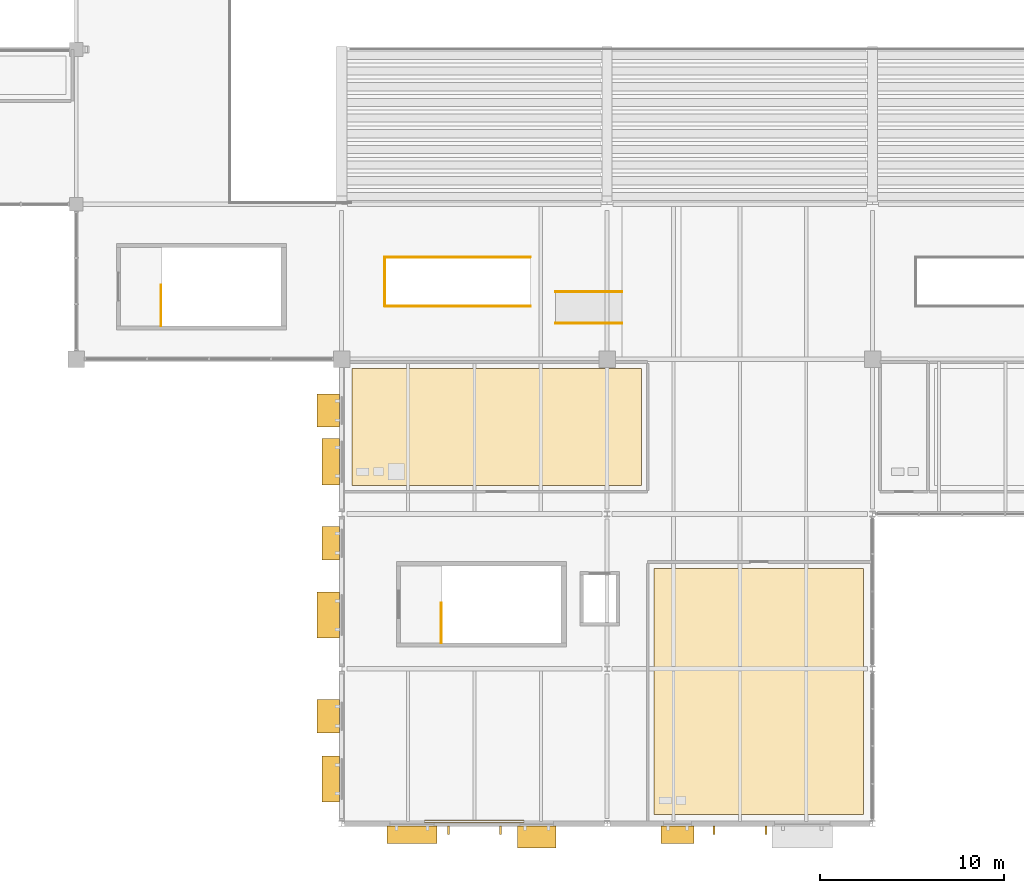
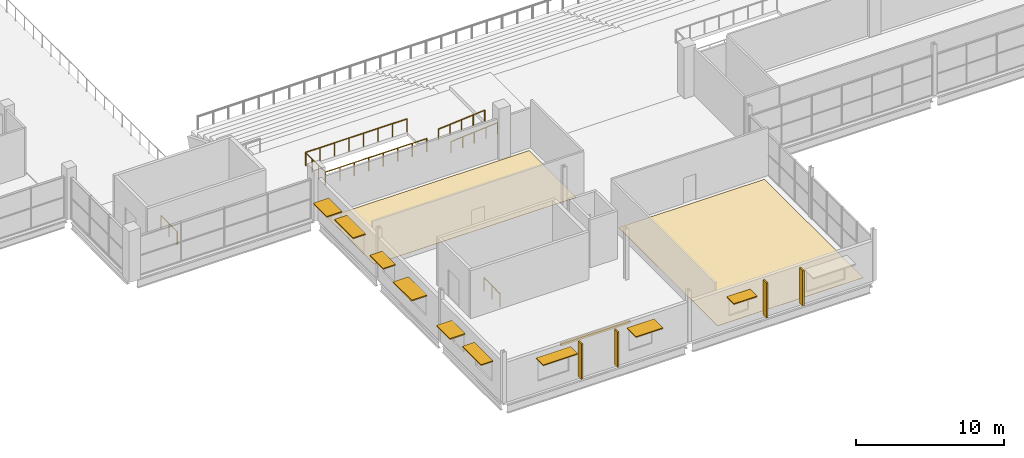
# One storey, part 148 of 161: 14 shading devices, 7 railings, 2 coverings.
"""IFC4 building model written with IfcOpenShell, lengths in metres."""

from ifc_helpers import new_model, si_unit, direction, frame, origin, origin_2d, place, context, subcontext, project, spatial, polyline, rectangle, circle, outline, extrude, material, layer, layer_set, type_object, element, save


model = new_model("IFC4")

# Units and contexts
model_context = context("Model", 3, precision=1e-05, world=origin(), true_north=direction((0.0, 1.0)))
body_context = subcontext(model_context, "Body", "Model", "MODEL_VIEW")
ifc_project = project(units=[si_unit("LENGTHUNIT", "METRE"), si_unit("AREAUNIT", "SQUARE_METRE"), si_unit("VOLUMEUNIT", "CUBIC_METRE"), si_unit("PLANEANGLEUNIT", "RADIAN"), si_unit("MASSUNIT", "GRAM", prefix="KILO"), si_unit("THERMODYNAMICTEMPERATUREUNIT", "KELVIN")], contexts=[model_context])

# Site, building, storey
site_placement = place(None, origin())
site = spatial("IfcSite", under=ifc_project, at=site_placement, CompositionType="ELEMENT")
building_placement = place(site_placement, origin())
building = spatial("IfcBuilding", under=site, at=building_placement, Name="Nduvali Passage Aquatics Centre", CompositionType="ELEMENT")
storey_placement = place(building_placement, frame((0.0, 0.0, 4.800048828125)))
storey = spatial("IfcBuildingStorey", under=building, at=storey_placement, Name="L01", CompositionType="ELEMENT", Elevation=4.800048828125)

# Shading devices
ifc_material_1 = material(Name="Glulam GL28h", Category="wood")
shading_device_type_1 = type_object("IfcShadingDeviceType", Name="ENV-SHD-FIN1", PredefinedType="USERDEFINED", material=ifc_material_1)
for number, where, z_axis, x_axis, name in (
    (1, (45.389892578125, -0.35498046875, 0.199951171875), (0.0, 0.0, 1.0), (1.0, 0.0, 0.0), "L01 Vertical Glulam Facade Fin 0026"),
    (2, (48.2099609375, -0.35498046875, 0.199951171875), (0.0, 0.0, 1.0), (1.0, 0.0, 0.0), "L01 Vertical Glulam Facade Fin 0027"),
    (3, (59.7900390625, -0.35498046875, 0.199951171875), (0.0, 0.0, 1.0), (1.0, 0.0, 0.0), "L01 Vertical Glulam Facade Fin 0030"),
    (4, (62.610107421875, -0.35498046875, 0.199951171875), (0.0, 0.0, 1.0), (1.0, 0.0, 0.0), "L01 Vertical Glulam Facade Fin 0031"),
):
    element("IfcShadingDevice", number, at=place(storey_placement, frame(where, z_axis=z_axis, x_axis=x_axis)), inside=storey, type_object=shading_device_type_1, Name=name, ObjectType="VERTICAL FIN", PredefinedType="USERDEFINED", context=body_context, shape_type="SweptSolid", body=[
        extrude(rectangle(XDim=0.1201171875, YDim=0.43994140625, at=origin_2d()), origin(), (0.0, 0.0, 1.0), 2.892578125),
    ])
ifc_material_2 = material(Name="Coral-stone masonry blockwork", Category="masonry")
ifc_layer_1 = layer(ifc_material_2, 0.199951171875, Name="Coral-stone masonry blockwork")
ifc_layer_set_1 = layer_set([ifc_layer_1], Name="Coral-stone masonry blockwork")
shading_device_type_2 = type_object("IfcShadingDeviceType", Name="ENV-SHD-JAL1", PredefinedType="JALOUSIE", material=ifc_layer_set_1)
shading_device_1_placement = place(storey_placement, frame((46.800048828125, 0.1201171875, 2.98974609375), z_axis=(0.0, 0.0, 1.0), x_axis=(1.0, 0.0, 0.0)))
element("IfcShadingDevice", 5, at=shading_device_1_placement, inside=storey, type_object=shading_device_type_2, Name="L01 Monsoon Jalousie Grille 05", PredefinedType="JALOUSIE", context=body_context, shape_type="SweptSolid", body=[
    extrude(rectangle(XDim=5.39990234375, YDim=0.139892578125, at=origin_2d()), origin(), (0.0, 0.0, 1.0), 0.199951171875),
])
ifc_material_3 = material(Name="Aluminium EN AW-6063 T6", Category="aluminium")
ifc_layer_2 = layer(ifc_material_3, 0.090087890625, Name="Aluminium EN AW-6063 T6")
ifc_layer_set_2 = layer_set([ifc_layer_2], Name="Aluminium EN AW-6063 T6")
shading_device_type_3 = type_object("IfcShadingDeviceType", Name="ENV-SHD-SUN1", PredefinedType="AWNING", material=ifc_layer_set_2)
shading_device_2_placement = place(storey_placement, frame((50.18408203125, -0.72998046875, 2.7548828125), z_axis=(0.0, 0.0, 1.0), x_axis=(1.0, 0.0, 0.0)))
element("IfcShadingDevice", 6, at=shading_device_2_placement, inside=storey, type_object=shading_device_type_3, Name="L01 Horizontal Monsoon Sunshade 0025", PredefinedType="AWNING", context=body_context, shape_type="SweptSolid", body=[
    extrude(rectangle(XDim=2.10009765625, YDim=1.199951171875, at=origin_2d()), origin(), (0.0, 0.0, 1.0), 0.090087890625),
])
shading_device_3_placement = place(storey_placement, frame((38.8701171875, 5.826904296875, 2.60498046875), z_axis=(0.0, 0.0, 1.0), x_axis=(0.0, -1.0, 0.0)))
element("IfcShadingDevice", 7, at=shading_device_3_placement, inside=storey, type_object=shading_device_type_3, Name="L01 Horizontal Monsoon Sunshade 0041", PredefinedType="AWNING", context=body_context, shape_type="SweptSolid", body=[
    extrude(rectangle(XDim=1.800048828125, YDim=1.199951171875, at=origin_2d()), origin(), (0.0, 0.0, 1.0), 0.090087890625),
])
shading_device_4_placement = place(storey_placement, frame((38.8701171875, 11.31103515625, 2.65478515625), z_axis=(0.0, 0.0, 1.0), x_axis=(0.0, -1.0, 0.0)))
element("IfcShadingDevice", 8, at=shading_device_4_placement, inside=storey, type_object=shading_device_type_3, Name="L01 Horizontal Monsoon Sunshade 0047", PredefinedType="AWNING", context=body_context, shape_type="SweptSolid", body=[
    extrude(rectangle(XDim=2.5, YDim=1.199951171875, at=origin_2d()), origin(), (0.0, 0.0, 1.0), 0.090087890625),
])
shading_device_5_placement = place(storey_placement, frame((38.8701171875, 22.409912109375, 2.60498046875), z_axis=(0.0, 0.0, 1.0), x_axis=(0.0, -1.0, 0.0)))
element("IfcShadingDevice", 9, at=shading_device_5_placement, inside=storey, type_object=shading_device_type_3, Name="L01 Horizontal Monsoon Sunshade 0051", PredefinedType="AWNING", context=body_context, shape_type="SweptSolid", body=[
    extrude(rectangle(XDim=1.800048828125, YDim=1.199951171875, at=origin_2d()), origin(), (0.0, 0.0, 1.0), 0.090087890625),
])
ifc_layer_3 = layer(ifc_material_3, 0.080078125, Name="Aluminium EN AW-6063 T6")
ifc_layer_set_3 = layer_set([ifc_layer_3], Name="Aluminium EN AW-6063 T6")
shading_device_type_4 = type_object("IfcShadingDeviceType", Name="ENV-SHD-SUN2", PredefinedType="AWNING", material=ifc_layer_set_3)
shading_device_6_placement = place(storey_placement, frame((43.416015625, -0.60498046875, 2.760009765625), z_axis=(0.0, 0.0, 1.0), x_axis=(1.0, 0.0, 0.0)))
element("IfcShadingDevice", 10, at=shading_device_6_placement, inside=storey, type_object=shading_device_type_4, Name="L01 Horizontal Monsoon Sunshade 0024", PredefinedType="AWNING", context=body_context, shape_type="SweptSolid", body=[
    extrude(rectangle(XDim=2.699951171875, YDim=0.949951171875, at=origin_2d()), origin(), (0.0, 0.0, 1.0), 0.080078125),
])
shading_device_7_placement = place(storey_placement, frame((57.81591796875, -0.60498046875, 2.60986328125), z_axis=(0.0, 0.0, 1.0), x_axis=(1.0, 0.0, 0.0)))
element("IfcShadingDevice", 11, at=shading_device_7_placement, inside=storey, type_object=shading_device_type_4, Name="L01 Horizontal Monsoon Sunshade 0028", PredefinedType="AWNING", context=body_context, shape_type="SweptSolid", body=[
    extrude(rectangle(XDim=1.800048828125, YDim=0.949951171875, at=origin_2d()), origin(), (0.0, 0.0, 1.0), 0.080078125),
])
shading_device_8_placement = place(storey_placement, frame((38.9951171875, 2.4208984375, 2.659912109375), z_axis=(0.0, 0.0, 1.0), x_axis=(0.0, -1.0, 0.0)))
element("IfcShadingDevice", 12, at=shading_device_8_placement, inside=storey, type_object=shading_device_type_4, Name="L01 Horizontal Monsoon Sunshade 0042", PredefinedType="AWNING", context=body_context, shape_type="SweptSolid", body=[
    extrude(rectangle(XDim=2.5, YDim=0.949951171875, at=origin_2d()), origin(), (0.0, 0.0, 1.0), 0.080078125),
])
shading_device_9_placement = place(storey_placement, frame((38.9951171875, 15.217041015625, 2.60986328125), z_axis=(0.0, 0.0, 1.0), x_axis=(0.0, -1.0, 0.0)))
element("IfcShadingDevice", 13, at=shading_device_9_placement, inside=storey, type_object=shading_device_type_4, Name="L01 Horizontal Monsoon Sunshade 0046", PredefinedType="AWNING", context=body_context, shape_type="SweptSolid", body=[
    extrude(rectangle(XDim=1.800048828125, YDim=0.949951171875, at=origin_2d()), origin(), (0.0, 0.0, 1.0), 0.080078125),
])
shading_device_10_placement = place(storey_placement, frame((38.9951171875, 19.634033203125, 2.659912109375), z_axis=(0.0, 0.0, 1.0), x_axis=(0.0, -1.0, 0.0)))
element("IfcShadingDevice", 14, at=shading_device_10_placement, inside=storey, type_object=shading_device_type_4, Name="L01 Horizontal Monsoon Sunshade 0052", PredefinedType="AWNING", context=body_context, shape_type="SweptSolid", body=[
    extrude(rectangle(XDim=2.5, YDim=0.949951171875, at=origin_2d()), origin(), (0.0, 0.0, 1.0), 0.080078125),
])

# Coverings
ifc_material_4 = material(Name="Anti-slip ceramic pool deck tile")
ifc_layer_4 = layer(ifc_material_4, 0.02490234375, Name="Anti-slip ceramic pool deck tile")
ifc_layer_set_4 = layer_set([ifc_layer_4], Name="Anti-slip ceramic pool deck tile")
covering_type = type_object("IfcCoveringType", Name="INT-COV-TILE", PredefinedType="FLOORING", material=ifc_layer_set_4)
covering_1_placement = place(storey_placement, origin())
element("IfcCovering", 15, at=covering_1_placement, inside=storey, type_object=covering_type, Name="L01 Fitness Dry Changing Village West Floor Finish", PredefinedType="FLOORING", context=body_context, shape_type="SweptSolid", body=[
    extrude(outline(polyline([(40.14990234375, 18.35009765625), (55.85009765625, 18.35009765625), (55.85009765625, 24.68994140625), (40.14990234375, 24.68994140625), (40.14990234375, 18.35009765625)])), origin(), (0.0, 0.0, 1.0), 0.02490234375),
])
covering_2_placement = place(storey_placement, origin())
element("IfcCovering", 16, at=covering_2_placement, inside=storey, type_object=covering_type, Name="L01 South Spectator Public Toilets West Floor Finish", PredefinedType="FLOORING", context=body_context, shape_type="SweptSolid", body=[
    extrude(outline(polyline([(56.550048828125, 0.510009765625), (67.89990234375, 0.510009765625), (67.89990234375, 13.85009765625), (56.550048828125, 13.85009765625), (56.550048828125, 0.510009765625)])), origin(), (0.0, 0.0, 1.0), 0.02490234375),
])

# Railings
ifc_material_5 = material(Name="Stainless steel balustrade", Category="steel")
railing_type_1 = type_object("IfcRailingType", Name="INT-RLG-GRD110", PredefinedType="GUARDRAIL", material=ifc_material_5)
railing_1_placement = place(storey_placement, frame((45.0, 9.800048828125, 0.0)))
element("IfcRailing", 17, at=railing_1_placement, inside=storey, type_object=railing_type_1, Name="L01 ST5 top well guard 1", PredefinedType="GUARDRAIL", context=body_context, shape_type="SweptSolid", body=[
    extrude(circle(Radius=0.02392578125, at=origin_2d()), frame((0.0, 0.0, 1.076171875), z_axis=(0.0, 1.0, 0.0), x_axis=(-1.0, 0.0, 0.0)), (0.0, 0.0, 1.0), 2.169921875),
    extrude(circle(Radius=0.02099609375, at=origin_2d()), origin(), (0.0, 0.0, 1.0), 1.052001953125),
    extrude(circle(Radius=0.02099609375, at=origin_2d()), frame((0.0, 1.0849609375, 0.0)), (0.0, 0.0, 1.0), 1.052001953125),
    extrude(circle(Radius=0.02099609375, at=origin_2d()), frame((0.0, 2.169921875, 0.0)), (0.0, 0.0, 1.0), 1.052001953125),
])
railing_2_placement = place(storey_placement, frame((29.800048828125, 27.0, 0.0)))
element("IfcRailing", 18, at=railing_2_placement, inside=storey, type_object=railing_type_1, Name="L01 ST13 top well guard 1", PredefinedType="GUARDRAIL", context=body_context, shape_type="SweptSolid", body=[
    extrude(circle(Radius=0.02392578125, at=origin_2d()), frame((0.0, 0.0, 1.076171875), z_axis=(0.0, 1.0, 0.0), x_axis=(-1.0, 0.0, 0.0)), (0.0, 0.0, 1.0), 2.199951171875),
    extrude(circle(Radius=0.02099609375, at=origin_2d()), origin(), (0.0, 0.0, 1.0), 1.052001953125),
    extrude(circle(Radius=0.02099609375, at=origin_2d()), frame((0.0, 1.10009765625, 0.0)), (0.0, 0.0, 1.0), 1.052001953125),
    extrude(circle(Radius=0.02099609375, at=origin_2d()), frame((0.0, 2.199951171875, 0.0)), (0.0, 0.0, 1.0), 1.052001953125),
])
railing_3_placement = place(storey_placement, frame((41.93994140625, 28.125, 0.0)))
element("IfcRailing", 19, at=railing_3_placement, inside=storey, type_object=railing_type_1, Name="L01 Vomitory VST1 Well West Guardrail", PredefinedType="GUARDRAIL", context=body_context, shape_type="SweptSolid", body=[
    extrude(circle(Radius=0.02392578125, at=origin_2d()), frame((0.0, 0.0, 1.076171875), z_axis=(0.0, 1.0, 0.0), x_axis=(-1.0, 0.0, 0.0)), (0.0, 0.0, 1.0), 2.550048828125),
    extrude(circle(Radius=0.02099609375, at=origin_2d()), origin(), (0.0, 0.0, 1.0), 1.052001953125),
    extrude(circle(Radius=0.02099609375, at=origin_2d()), frame((0.0, 0.85009765625, 0.0)), (0.0, 0.0, 1.0), 1.052001953125),
    extrude(circle(Radius=0.02099609375, at=origin_2d()), frame((0.0, 1.699951171875, 0.0)), (0.0, 0.0, 1.0), 1.052001953125),
    extrude(circle(Radius=0.02099609375, at=origin_2d()), frame((0.0, 2.550048828125, 0.0)), (0.0, 0.0, 1.0), 1.052001953125),
])
for number, where, name in (
    (20, (41.93994140625, 28.06494140625, 0.0), "L01 Vomitory VST1 Well S Guardrail"),
    (21, (41.93994140625, 30.735107421875, 0.0), "L01 Vomitory VST1 Well N Guardrail"),
):
    element("IfcRailing", number, at=place(storey_placement, frame(where)), inside=storey, type_object=railing_type_1, Name=name, PredefinedType="GUARDRAIL", context=body_context, shape_type="SweptSolid", body=[
        extrude(circle(Radius=0.02392578125, at=origin_2d()), frame((0.0, 0.0, 1.076171875), z_axis=(1.0, 0.0, 0.0), x_axis=(0.0, 1.0, 0.0)), (0.0, 0.0, 1.0), 7.89013671875),
        extrude(circle(Radius=0.02099609375, at=origin_2d()), origin(), (0.0, 0.0, 1.0), 1.052001953125),
        extrude(circle(Radius=0.02099609375, at=origin_2d()), frame((1.127197265625, 0.0, 0.0)), (0.0, 0.0, 1.0), 1.052001953125),
        extrude(circle(Radius=0.02099609375, at=origin_2d()), frame((2.25439453125, 0.0, 0.0)), (0.0, 0.0, 1.0), 1.052001953125),
        extrude(circle(Radius=0.02099609375, at=origin_2d()), frame((3.381591796875, 0.0, 0.0)), (0.0, 0.0, 1.0), 1.052001953125),
        extrude(circle(Radius=0.02099609375, at=origin_2d()), frame((4.508544921875, 0.0, 0.0)), (0.0, 0.0, 1.0), 1.052001953125),
        extrude(circle(Radius=0.02099609375, at=origin_2d()), frame((5.6357421875, 0.0, 0.0)), (0.0, 0.0, 1.0), 1.052001953125),
        extrude(circle(Radius=0.02099609375, at=origin_2d()), frame((6.762939453125, 0.0, 0.0)), (0.0, 0.0, 1.0), 1.052001953125),
        extrude(circle(Radius=0.02099609375, at=origin_2d()), frame((7.89013671875, 0.0, 0.0)), (0.0, 0.0, 1.0), 1.052001953125),
    ])
railing_type_2 = type_object("IfcRailingType", Name="INT-RLG-HND90", PredefinedType="HANDRAIL", material=ifc_material_5)
for number, where, name in (
    (22, (51.199951171875, 27.14990234375, 0.0), "South Stand Wheelchair Viewing Platform Ramp PR3 Handrail 1"),
    (23, (51.199951171875, 28.85009765625, 0.0), "South Stand Wheelchair Viewing Platform Ramp PR3 Handrail 2"),
):
    element("IfcRailing", number, at=place(storey_placement, frame(where)), inside=storey, type_object=railing_type_2, Name=name, PredefinedType="HANDRAIL", context=body_context, shape_type="SweptSolid", body=[
        extrude(circle(Radius=0.02392578125, at=origin_2d()), frame((0.0, 0.0, 0.89599609375), z_axis=(0.996544826035, 0.0, 0.083056665618), x_axis=(0.0, 1.0, 0.0)), (0.0, 0.0, 1.0), 3.612548828125),
        extrude(circle(Radius=0.02099609375, at=origin_2d()), origin(), (0.0, 0.0, 1.0), 0.871826171875),
        extrude(circle(Radius=0.02099609375, at=origin_2d()), frame((0.89990234375, 0.0, 0.074951171875)), (0.0, 0.0, 1.0), 0.871826171875),
        extrude(circle(Radius=0.02099609375, at=origin_2d()), frame((1.800048828125, 0.0, 0.14990234375)), (0.0, 0.0, 1.0), 0.871826171875),
        extrude(circle(Radius=0.02099609375, at=origin_2d()), frame((2.7001953125, 0.0, 0.22509765625)), (0.0, 0.0, 1.0), 0.871826171875),
        extrude(circle(Radius=0.02099609375, at=origin_2d()), frame((3.60009765625, 0.0, 0.300048828125)), (0.0, 0.0, 1.0), 0.871826171875),
    ])

save(model, "model.ifc")
